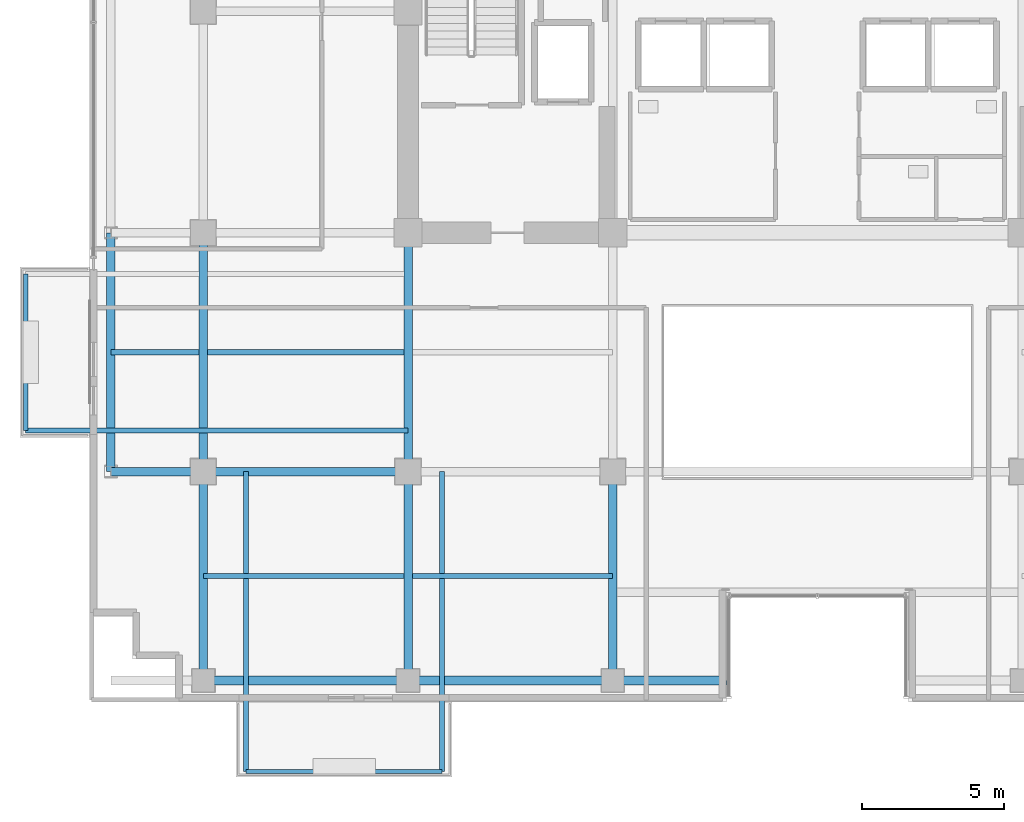
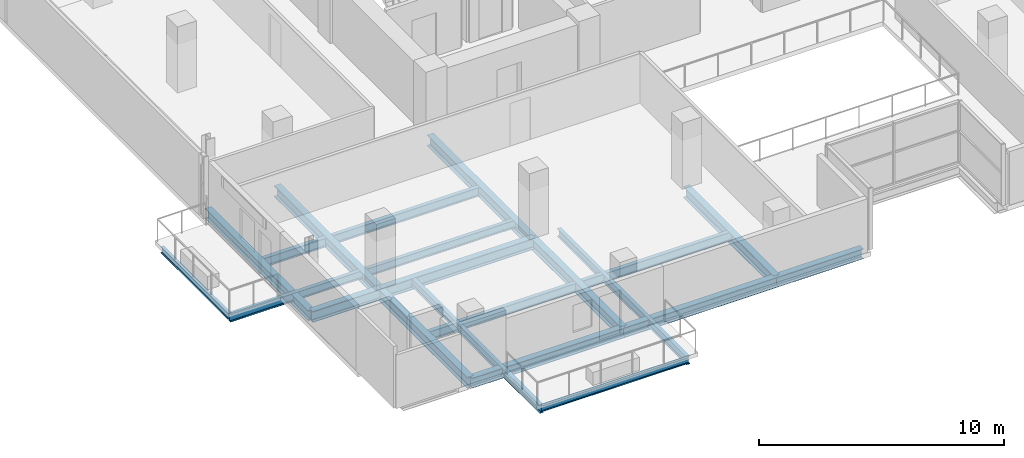
# One storey, part 2 of 23: 20 beams.
"""IFC4 building model written with IfcOpenShell, lengths in metres."""

from ifc_helpers import new_model, si_unit, direction, frame, origin, origin_2d, place, context, subcontext, project, spatial, i_section, extrude, material, material_profile, profile_set, type_object, element, save


model = new_model("IFC4")

# Units and contexts
model_context = context("Model", 3, precision=1e-05, world=origin(), true_north=direction((0.0, 1.0)))
body_context = subcontext(model_context, "Body", "Model", "MODEL_VIEW")
ifc_project = project(units=[si_unit("LENGTHUNIT", "METRE"), si_unit("AREAUNIT", "SQUARE_METRE"), si_unit("VOLUMEUNIT", "CUBIC_METRE"), si_unit("PLANEANGLEUNIT", "RADIAN"), si_unit("MASSUNIT", "GRAM", prefix="KILO")], contexts=[model_context])

# Site, building, storey
site_placement = place(None, origin())
site = spatial("IfcSite", under=ifc_project, at=site_placement, CompositionType="ELEMENT")
building_placement = place(site_placement, origin())
building = spatial("IfcBuilding", under=site, at=building_placement, Name="Zarnakvel Exchange Tower", CompositionType="ELEMENT")
storey_placement = place(building_placement, frame((0.0, 0.0, 123.10009765625)))
storey = spatial("IfcBuildingStorey", under=building, at=storey_placement, Name="L34", CompositionType="ELEMENT", Elevation=123.10009765625)

# Beams
ifc_material = material(Name="Steel S355", Category="steel")
ifc_material_profile_1 = material_profile(ifc_material, i_section(OverallWidth=0.18994140625, OverallDepth=0.449951171875, WebThickness=0.009521484375, FlangeThickness=0.0146484375, FilletRadius=0.02099609375, at=origin_2d()))
ifc_profile_set_1 = profile_set([ifc_material_profile_1], Name="Steel S355")
beam_type_1 = type_object("IfcBeamType", Name="B-05", PredefinedType="JOIST", material=ifc_profile_set_1)
for number, where, z_axis, x_axis, name in (
    (1, (-21.60009765625, -13.27490234375, -0.4501953125), (1.0, 0.0, 0.0), (0.0, 1.0, 0.0), "L34 Composite Floor Secondary Joist"),
    (2, (-14.25, -13.27490234375, -0.4501953125), (1.0, 0.0, 0.0), (0.0, 1.0, 0.0), "L34 Composite Floor Secondary Joist"),
):
    element("IfcBeam", number, at=place(storey_placement, frame(where, z_axis=z_axis, x_axis=x_axis)), inside=storey, type_object=beam_type_1, Name=name, PredefinedType="JOIST", context=body_context, shape_type="SweptSolid", body=[
        extrude(i_section(OverallWidth=0.18994140625, OverallDepth=0.449951171875, WebThickness=0.009521484375, FlangeThickness=0.0146484375, FilletRadius=0.02099609375, at=origin_2d()), origin(), (0.0, 0.0, 1.0), 7.050048828125),
    ])
beam_1_placement = place(storey_placement, frame((-24.85009765625, -5.39990234375, -0.4501953125), z_axis=(1.0, 0.0, 0.0), x_axis=(0.0, 1.0, 0.0)))
element("IfcBeam", 3, at=beam_1_placement, inside=storey, type_object=beam_type_1, Name="L34 Composite Floor Secondary Joist", PredefinedType="JOIST", context=body_context, shape_type="SweptSolid", body=[
    extrude(i_section(OverallWidth=0.18994140625, OverallDepth=0.449951171875, WebThickness=0.009521484375, FlangeThickness=0.0146484375, FilletRadius=0.02099609375, at=origin_2d()), origin(), (0.0, 0.0, 1.0), 3.10009765625),
])
beam_2_placement = place(storey_placement, frame((-21.449951171875, -5.39990234375, -0.4501953125), z_axis=(1.0, 0.0, 0.0), x_axis=(0.0, 1.0, 0.0)))
element("IfcBeam", 4, at=beam_2_placement, inside=storey, type_object=beam_type_1, Name="L34 Composite Floor Secondary Joist", PredefinedType="JOIST", context=body_context, shape_type="SweptSolid", body=[
    extrude(i_section(OverallWidth=0.18994140625, OverallDepth=0.449951171875, WebThickness=0.009521484375, FlangeThickness=0.0146484375, FilletRadius=0.02099609375, at=origin_2d()), origin(), (0.0, 0.0, 1.0), 6.89990234375),
])
ifc_material_profile_2 = material_profile(ifc_material, i_section(OverallWidth=0.179931640625, OverallDepth=0.39990234375, WebThickness=0.008544921875, FlangeThickness=0.013427734375, FilletRadius=0.02099609375, at=origin_2d()))
ifc_profile_set_2 = profile_set([ifc_material_profile_2], Name="Steel S355")
beam_type_2 = type_object("IfcBeamType", Name="B-06", PredefinedType="JOIST", material=ifc_profile_set_2)
for number, where, z_axis, x_axis, name in (
    (5, (-20.10009765625, -9.60009765625, -0.425048828125), (0.0, -1.0, 0.0), (1.0, 0.0, 0.0), "L34 Continuous Back-Spanned Balcony Beam W"),
    (6, (-13.199951171875, -9.60009765625, -0.425048828125), (0.0, -1.0, 0.0), (1.0, 0.0, 0.0), "L34 Continuous Back-Spanned Balcony Beam E"),
):
    element("IfcBeam", number, at=place(storey_placement, frame(where, z_axis=z_axis, x_axis=x_axis)), inside=storey, type_object=beam_type_2, Name=name, PredefinedType="JOIST", context=body_context, shape_type="SweptSolid", body=[
        extrude(i_section(OverallWidth=0.179931640625, OverallDepth=0.39990234375, WebThickness=0.008544921875, FlangeThickness=0.013427734375, FilletRadius=0.02099609375, at=origin_2d()), origin(), (0.0, 0.0, 1.0), 10.5498046875),
    ])
beam_3_placement = place(storey_placement, frame((-14.39990234375, -8.14990234375, -0.425048828125), z_axis=(-1.0, 0.0, 0.0), x_axis=(0.0, -1.0, 0.0)))
element("IfcBeam", 7, at=beam_3_placement, inside=storey, type_object=beam_type_2, Name="L34 Continuous West Loggia Beam S", PredefinedType="JOIST", context=body_context, shape_type="SweptSolid", body=[
    extrude(i_section(OverallWidth=0.179931640625, OverallDepth=0.39990234375, WebThickness=0.008544921875, FlangeThickness=0.013427734375, FilletRadius=0.02099609375, at=origin_2d()), origin(), (0.0, 0.0, 1.0), 13.4501953125),
])
ifc_material_profile_3 = material_profile(ifc_material, i_section(OverallWidth=0.14990234375, OverallDepth=0.300048828125, WebThickness=0.007080078125, FlangeThickness=0.0107421875, FilletRadius=0.014892578125, at=origin_2d()))
ifc_profile_set_3 = profile_set([ifc_material_profile_3], Name="Steel S355")
beam_type_3 = type_object("IfcBeamType", Name="B-08", PredefinedType="JOIST", material=ifc_profile_set_3)
beam_4_placement = place(storey_placement, frame((-20.10009765625, -20.14990234375, -0.375), z_axis=(1.0, 0.0, 0.0), x_axis=(0.0, 1.0, 0.0)))
element("IfcBeam", 8, at=beam_4_placement, inside=storey, type_object=beam_type_3, Name="L34 Balcony Edge Beam", PredefinedType="JOIST", context=body_context, shape_type="SweptSolid", body=[
    extrude(i_section(OverallWidth=0.14990234375, OverallDepth=0.300048828125, WebThickness=0.007080078125, FlangeThickness=0.0107421875, FilletRadius=0.014892578125, at=origin_2d()), origin(), (0.0, 0.0, 1.0), 6.900146484375),
])
beam_5_placement = place(storey_placement, frame((-27.85009765625, -8.14990234375, -0.375), z_axis=(0.0, 1.0, 0.0), x_axis=(-1.0, 0.0, 0.0)))
element("IfcBeam", 9, at=beam_5_placement, inside=storey, type_object=beam_type_3, Name="L34 West Loggia Edge Beam", PredefinedType="JOIST", context=body_context, shape_type="SweptSolid", body=[
    extrude(i_section(OverallWidth=0.14990234375, OverallDepth=0.300048828125, WebThickness=0.007080078125, FlangeThickness=0.0107421875, FilletRadius=0.014892578125, at=origin_2d()), origin(), (0.0, 0.0, 1.0), 5.5),
])
ifc_material_profile_4 = material_profile(ifc_material, i_section(OverallWidth=0.300048828125, OverallDepth=0.550048828125, WebThickness=0.014892578125, FlangeThickness=0.029052734375, FilletRadius=0.027099609375, at=origin_2d()))
ifc_profile_set_4 = profile_set([ifc_material_profile_4], Name="Steel S355")
beam_type_4 = type_object("IfcBeamType", Name="G-05", PredefinedType="BEAM", material=ifc_profile_set_4)
beam_6_placement = place(storey_placement, frame((-24.85009765625, -9.60009765625, -0.5), z_axis=(1.0, 0.0, 0.0), x_axis=(0.0, 1.0, 0.0)))
element("IfcBeam", 10, at=beam_6_placement, inside=storey, type_object=beam_type_4, Name="L34 Tower E-W Frame Beam", PredefinedType="BEAM", context=body_context, shape_type="SweptSolid", body=[
    extrude(i_section(OverallWidth=0.300048828125, OverallDepth=0.550048828125, WebThickness=0.014892578125, FlangeThickness=0.029052734375, FilletRadius=0.027099609375, at=origin_2d()), origin(), (0.0, 0.0, 1.0), 3.25),
])
beam_7_placement = place(storey_placement, frame((-21.60009765625, -9.60009765625, -0.5), z_axis=(1.0, 0.0, 0.0), x_axis=(0.0, 1.0, 0.0)))
element("IfcBeam", 11, at=beam_7_placement, inside=storey, type_object=beam_type_4, Name="L34 Tower E-W Frame Beam", PredefinedType="BEAM", context=body_context, shape_type="SweptSolid", body=[
    extrude(i_section(OverallWidth=0.300048828125, OverallDepth=0.550048828125, WebThickness=0.014892578125, FlangeThickness=0.029052734375, FilletRadius=0.027099609375, at=origin_2d()), origin(), (0.0, 0.0, 1.0), 7.2001953125),
])
beam_8_placement = place(storey_placement, frame((-21.60009765625, -16.949951171875, -0.5), z_axis=(0.0, 1.0, 0.0), x_axis=(-1.0, 0.0, 0.0)))
element("IfcBeam", 12, at=beam_8_placement, inside=storey, type_object=beam_type_4, Name="L34 Tower N-S Frame Beam", PredefinedType="BEAM", context=body_context, shape_type="SweptSolid", body=[
    extrude(i_section(OverallWidth=0.300048828125, OverallDepth=0.550048828125, WebThickness=0.014892578125, FlangeThickness=0.029052734375, FilletRadius=0.027099609375, at=origin_2d()), origin(), (0.0, 0.0, 1.0), 7.349853515625),
])
beam_9_placement = place(storey_placement, frame((-21.60009765625, -9.60009765625, -0.5), z_axis=(0.0, 1.0, 0.0), x_axis=(-1.0, 0.0, 0.0)))
element("IfcBeam", 13, at=beam_9_placement, inside=storey, type_object=beam_type_4, Name="L34 Tower N-S Frame Beam", PredefinedType="BEAM", context=body_context, shape_type="SweptSolid", body=[
    extrude(i_section(OverallWidth=0.300048828125, OverallDepth=0.550048828125, WebThickness=0.014892578125, FlangeThickness=0.029052734375, FilletRadius=0.027099609375, at=origin_2d()), origin(), (0.0, 0.0, 1.0), 8.400146484375),
])
beam_10_placement = place(storey_placement, frame((-14.39990234375, -16.949951171875, -0.5), z_axis=(0.0, 1.0, 0.0), x_axis=(-1.0, 0.0, 0.0)))
element("IfcBeam", 14, at=beam_10_placement, inside=storey, type_object=beam_type_4, Name="L34 Tower N-S Frame Beam", PredefinedType="BEAM", context=body_context, shape_type="SweptSolid", body=[
    extrude(i_section(OverallWidth=0.300048828125, OverallDepth=0.550048828125, WebThickness=0.014892578125, FlangeThickness=0.029052734375, FilletRadius=0.027099609375, at=origin_2d()), origin(), (0.0, 0.0, 1.0), 7.349853515625),
])
beam_11_placement = place(storey_placement, frame((-14.39990234375, -9.60009765625, -0.5), z_axis=(0.0, 1.0, 0.0), x_axis=(-1.0, 0.0, 0.0)))
element("IfcBeam", 15, at=beam_11_placement, inside=storey, type_object=beam_type_4, Name="L34 Tower N-S Frame Beam", PredefinedType="BEAM", context=body_context, shape_type="SweptSolid", body=[
    extrude(i_section(OverallWidth=0.300048828125, OverallDepth=0.550048828125, WebThickness=0.014892578125, FlangeThickness=0.029052734375, FilletRadius=0.027099609375, at=origin_2d()), origin(), (0.0, 0.0, 1.0), 8.400146484375),
])
beam_12_placement = place(storey_placement, frame((-7.199951171875, -16.949951171875, -0.5), z_axis=(0.0, 1.0, 0.0), x_axis=(-1.0, 0.0, 0.0)))
element("IfcBeam", 16, at=beam_12_placement, inside=storey, type_object=beam_type_4, Name="L34 Tower N-S Frame Beam", PredefinedType="BEAM", context=body_context, shape_type="SweptSolid", body=[
    extrude(i_section(OverallWidth=0.300048828125, OverallDepth=0.550048828125, WebThickness=0.014892578125, FlangeThickness=0.029052734375, FilletRadius=0.027099609375, at=origin_2d()), origin(), (0.0, 0.0, 1.0), 7.349853515625),
])
ifc_material_profile_5 = material_profile(ifc_material, i_section(OverallWidth=0.300048828125, OverallDepth=0.5, WebThickness=0.014404296875, FlangeThickness=0.028076171875, FilletRadius=0.027099609375, at=origin_2d()))
ifc_profile_set_5 = profile_set([ifc_material_profile_5], Name="Steel S355")
beam_type_5 = type_object("IfcBeamType", Name="SP-02", PredefinedType="SPANDREL", material=ifc_profile_set_5)
beam_13_placement = place(storey_placement, frame((-21.60009765625, -16.949951171875, -0.47509765625), z_axis=(1.0, 0.0, 0.0), x_axis=(0.0, 1.0, 0.0)))
element("IfcBeam", 17, at=beam_13_placement, inside=storey, type_object=beam_type_5, Name="L34 Tower E-W Frame Beam", PredefinedType="SPANDREL", context=body_context, shape_type="SweptSolid", body=[
    extrude(i_section(OverallWidth=0.300048828125, OverallDepth=0.5, WebThickness=0.014404296875, FlangeThickness=0.028076171875, FilletRadius=0.027099609375, at=origin_2d()), origin(), (0.0, 0.0, 1.0), 7.2001953125),
])
beam_14_placement = place(storey_placement, frame((-14.39990234375, -16.949951171875, -0.47509765625), z_axis=(1.0, 0.0, 0.0), x_axis=(0.0, 1.0, 0.0)))
element("IfcBeam", 18, at=beam_14_placement, inside=storey, type_object=beam_type_5, Name="L34 Tower E-W Frame Beam", PredefinedType="SPANDREL", context=body_context, shape_type="SweptSolid", body=[
    extrude(i_section(OverallWidth=0.300048828125, OverallDepth=0.5, WebThickness=0.014404296875, FlangeThickness=0.028076171875, FilletRadius=0.027099609375, at=origin_2d()), origin(), (0.0, 0.0, 1.0), 7.199951171875),
])
beam_15_placement = place(storey_placement, frame((-7.199951171875, -16.949951171875, -0.47509765625), z_axis=(1.0, 0.0, 0.0), x_axis=(0.0, 1.0, 0.0)))
element("IfcBeam", 19, at=beam_15_placement, inside=storey, type_object=beam_type_5, Name="L34 South Slot West Jamb Spandrel", PredefinedType="SPANDREL", context=body_context, shape_type="SweptSolid", body=[
    extrude(i_section(OverallWidth=0.300048828125, OverallDepth=0.5, WebThickness=0.014404296875, FlangeThickness=0.028076171875, FilletRadius=0.027099609375, at=origin_2d()), origin(), (0.0, 0.0, 1.0), 4.0),
])
beam_16_placement = place(storey_placement, frame((-24.85009765625, -9.60009765625, -0.47509765625), z_axis=(0.0, 1.0, 0.0), x_axis=(-1.0, 0.0, 0.0)))
element("IfcBeam", 20, at=beam_16_placement, inside=storey, type_object=beam_type_5, Name="L34 Tower N-S Frame Beam", PredefinedType="SPANDREL", context=body_context, shape_type="SweptSolid", body=[
    extrude(i_section(OverallWidth=0.300048828125, OverallDepth=0.5, WebThickness=0.014404296875, FlangeThickness=0.028076171875, FilletRadius=0.027099609375, at=origin_2d()), origin(), (0.0, 0.0, 1.0), 8.400146484375),
])

save(model, "model.ifc")
